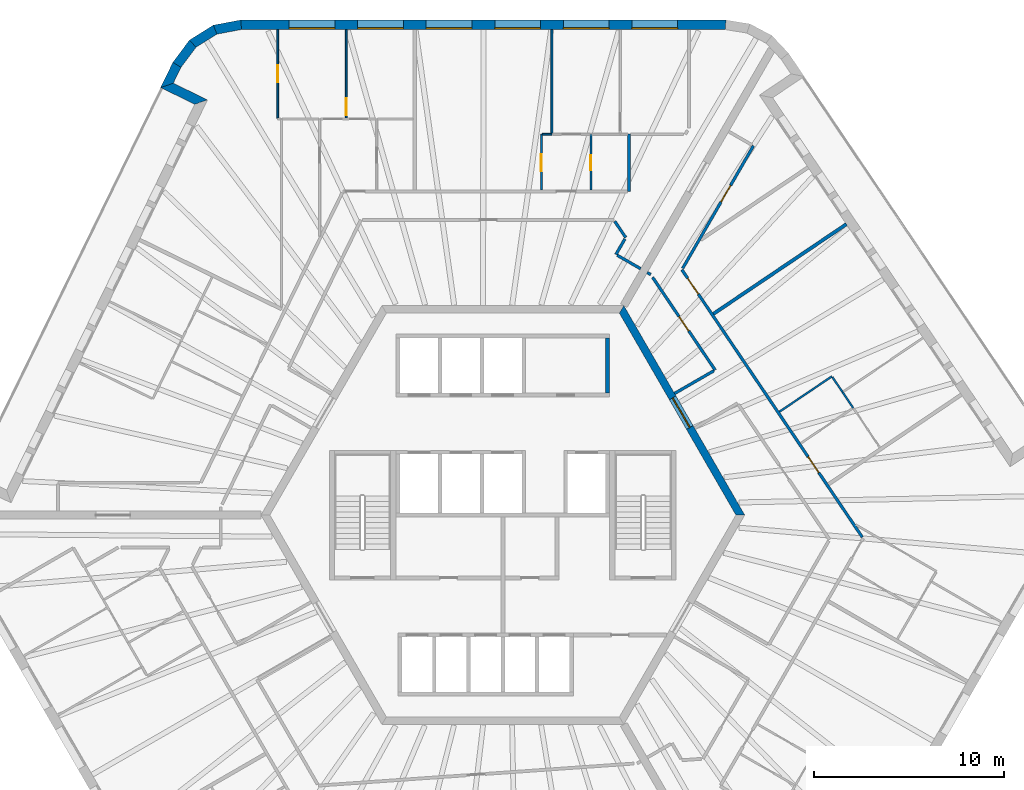
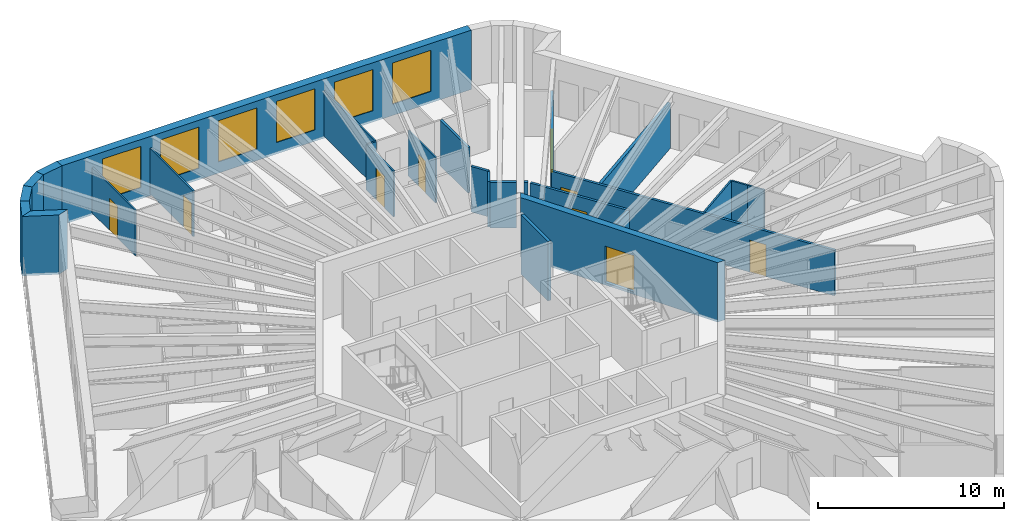
# One storey, part 9 of 12: 27 walls, 9 doors, 6 windows, 15 openings.
"""IFC4 building model written with IfcOpenShell, lengths in metres."""

from ifc_helpers import new_model, si_unit, direction, frame, frame_2d, origin, place, context, subcontext, project, spatial, polyline, rectangle, outline, extrude, material, layer, layer_set, type_object, element, fill, save


model = new_model("IFC4")

# Units and contexts
model_context = context("Model", 3, precision=1e-05, world=origin(), true_north=direction((0.0, 1.0)))
body_context = subcontext(model_context, "Body", "Model", "MODEL_VIEW")
ifc_project = project(units=[si_unit("LENGTHUNIT", "METRE"), si_unit("AREAUNIT", "SQUARE_METRE"), si_unit("VOLUMEUNIT", "CUBIC_METRE"), si_unit("PLANEANGLEUNIT", "RADIAN"), si_unit("MASSUNIT", "GRAM", prefix="KILO")], contexts=[model_context])

# Site, building, storey
site_placement = place(None, origin())
site = spatial("IfcSite", under=ifc_project, at=site_placement, CompositionType="ELEMENT")
building_placement = place(site_placement, origin())
building = spatial("IfcBuilding", under=site, at=building_placement, Name="Tarnside Tower", CompositionType="ELEMENT")
storey_placement = place(building_placement, frame((0.0, 0.0, 310.800048828125)))
storey = spatial("IfcBuildingStorey", under=building, at=storey_placement, Name="L75", CompositionType="ELEMENT", Elevation=310.800048828125)

# Wall, opening, door
ifc_material_1 = material(Name="Gypsum board partition on steel studs", Category="steel")
ifc_layer_1 = layer(ifc_material_1, 0.10009765625)
ifc_layer_set_1 = layer_set([ifc_layer_1], Name="Bathroom wall 100")
wall_type_1 = type_object("IfcWallType", Name="Bathroom wall 100", PredefinedType="PARTITIONING", material=ifc_layer_set_1)
wall_1_placement = place(storey_placement, frame((4.626708984375, 17.074951171875, 0.0), z_axis=(0.0, 0.0, 1.0), x_axis=(0.0, 1.0, 0.0)))
wall_1 = element("IfcWall", 1, at=wall_1_placement, inside=storey, type_object=wall_type_1, Name="Bathroom wall 24088", PredefinedType="PARTITIONING", context=body_context, shape_type="SweptSolid", body=[
    extrude(rectangle(XDim=2.925048828125, YDim=0.10009765625, at=frame_2d((1.46240234375, 0.0))), origin(), (0.0, 0.0, 1.0), 2.98779296875),
])
opening_1_placement = place(wall_1_placement, frame((1.02490234375, 0.0, 0.0)))
opening_1 = element("IfcOpeningElement", 2, at=opening_1_placement, cuts=wall_1, Name="Opening D-B1", PredefinedType="OPENING", context=body_context, shape_type="SweptSolid", body=[
    extrude(rectangle(XDim=0.800048828125, YDim=2.10009765625, at=frame_2d((0.39990234375, 1.050048828125))), frame((0.0, 0.06005859375, 0.0), z_axis=(0.0, -1.0, 0.0), x_axis=(1.0, 0.0, 0.0)), (0.0, 0.0, 1.0), 0.1201171875),
])
ifc_material_2 = material(Name="Timber door leaf", Category="wood")
door_type_1 = type_object("IfcDoorType", Name="Bathroom door 800", OperationType="NOTDEFINED", PredefinedType="DOOR", material=ifc_material_2)
door_1_placement = place(opening_1_placement, origin())
door_1 = element("IfcDoor", 3, at=door_1_placement, inside=storey, type_object=door_type_1, Name="Bathroom door 24002", OperationType="SINGLE_SWING_RIGHT", OverallHeight=2.10009765625, OverallWidth=0.800048828125, PredefinedType="DOOR", context=body_context, shape_type="SweptSolid", body=[
    extrude(rectangle(XDim=0.800048828125, YDim=2.10009765625, at=frame_2d((0.39990234375, 1.050048828125))), frame((0.0, 0.02490234375, 0.0), z_axis=(0.0, -1.0, 0.0), x_axis=(1.0, 0.0, 0.0)), (0.0, 0.0, 1.0), 0.050048828125),
])
fill(opening_1, door_1)

# Walls
wall_2_placement = place(storey_placement, frame((14.524658203125, 5.4248046875, 0.0), z_axis=(0.0, 0.0, 1.0), x_axis=(0.82903334026, 0.559199178055, 0.0)))
element("IfcWall", 4, at=wall_2_placement, inside=storey, type_object=wall_type_1, Name="Bathroom wall 24159", PredefinedType="PARTITIONING", context=body_context, shape_type="SweptSolid", body=[
    extrude(rectangle(XDim=3.324951171875, YDim=0.10009765625, at=frame_2d((1.66259765625, 0.0))), origin(), (0.0, 0.0, 1.0), 2.98779296875),
])
wall_3_placement = place(storey_placement, frame((17.30908203125, 7.24267578125, 0.0), z_axis=(0.0, 0.0, 1.0), x_axis=(0.559248234521, -0.829000248604, 0.0)))
element("IfcWall", 5, at=wall_3_placement, inside=storey, type_object=wall_type_1, Name="Bathroom wall 24160", PredefinedType="PARTITIONING", context=body_context, shape_type="SweptSolid", body=[
    extrude(rectangle(XDim=0.9521484375, YDim=0.10009765625, at=frame_2d((0.47607421875, 0.0))), origin(), (0.0, 0.0, 1.0), 2.98779296875),
])
wall_4_placement = place(storey_placement, frame((18.400634765625, 5.624267578125, 0.0), z_axis=(0.0, 0.0, 1.0), x_axis=(-0.559133879296, 0.829077381806, 0.0)))
element("IfcWall", 6, at=wall_4_placement, inside=storey, type_object=wall_type_1, Name="Bathroom wall 24165", PredefinedType="PARTITIONING", context=body_context, shape_type="SweptSolid", body=[
    extrude(rectangle(XDim=1.002197265625, YDim=0.10009765625, at=frame_2d((0.5009765625, 0.0))), origin(), (0.0, 0.0, 1.0), 2.98779296875),
])

# Wall, opening, door
ifc_material_3 = material(Name="Concrete C60/75", Category="concrete")
ifc_layer_2 = layer(ifc_material_3, 0.39990234375)
ifc_layer_set_2 = layer_set([ifc_layer_2], Name="Core wall Z3 400 C60/75")
wall_type_2 = type_object("IfcWallType", Name="Core wall Z3 400 C60/75", PredefinedType="SHEAR", material=ifc_layer_set_2)
wall_5_placement = place(storey_placement, frame((12.470703125, 0.0, -0.150146484375), z_axis=(0.0, 0.0, 1.0), x_axis=(-0.499996419489, 0.866027470984, 0.0)))
wall_5 = element("IfcWall", 7, at=wall_5_placement, inside=storey, type_object=wall_type_2, Name="L75 core wall face 6", PredefinedType="SHEAR", context=body_context, shape_type="SweptSolid", body=[
    extrude(outline(polyline([(-0.115478515625, -0.199951171875), (12.586181640625, -0.199951171875), (12.355224609375, 0.199951171875), (0.115478515625, 0.199951171875), (-0.115478515625, -0.199951171875)])), origin(), (0.0, 0.0, 1.0), 3.900146484375),
])
opening_2_placement = place(wall_5_placement, frame((5.306396484375, 0.0, 0.14990234375)))
opening_2 = element("IfcOpeningElement", 8, at=opening_2_placement, cuts=wall_5, Name="Opening CD-LOB", PredefinedType="OPENING", context=body_context, shape_type="SweptSolid", body=[
    extrude(rectangle(XDim=1.800048828125, YDim=2.39990234375, at=frame_2d((0.89990234375, 1.199951171875))), frame((0.0, 0.2099609375, 0.0), z_axis=(0.0, -1.0, 0.0), x_axis=(1.0, 0.0, 0.0)), (0.0, 0.0, 1.0), 0.419921875),
])
ifc_material_4 = material(Name="Steel fire door", Category="steel")
door_type_2 = type_object("IfcDoorType", Name="Lobby double door FD30S 1800x2400", OperationType="NOTDEFINED", PredefinedType="DOOR", material=ifc_material_4)
door_2_placement = place(opening_2_placement, origin())
door_2 = element("IfcDoor", 9, at=door_2_placement, inside=storey, type_object=door_type_2, Name="L75 core door P2", OperationType="DOUBLE_DOOR_SINGLE_SWING", OverallHeight=2.39990234375, OverallWidth=1.800048828125, PredefinedType="DOOR", context=body_context, shape_type="SweptSolid", body=[
    extrude(rectangle(XDim=1.800048828125, YDim=2.39990234375, at=frame_2d((0.89990234375, 1.199951171875))), frame((0.0, 0.02490234375, 0.0), z_axis=(0.0, -1.0, 0.0), x_axis=(1.0, 0.0, 0.0)), (0.0, 0.0, 1.0), 0.050048828125),
])
fill(opening_2, door_2)

# Walls
ifc_layer_3 = layer(ifc_material_1, 0.14990234375)
ifc_layer_set_3 = layer_set([ifc_layer_3], Name="Corridor wall 150 EI 60")
wall_type_3 = type_object("IfcWallType", Name="Corridor wall 150 EI 60", PredefinedType="PARTITIONING", material=ifc_layer_set_3)
wall_6_placement = place(storey_placement, frame((6.626708984375, 20.0, 0.0), z_axis=(0.0, 0.0, 1.0), x_axis=(0.0, -1.0, 0.0)))
element("IfcWall", 10, at=wall_6_placement, inside=storey, type_object=wall_type_3, Name="Corridor wall 24003", PredefinedType="PARTITIONING", context=body_context, shape_type="SweptSolid", body=[
    extrude(rectangle(XDim=3.0, YDim=0.14990234375, at=frame_2d((1.5, 0.0))), origin(), (0.0, 0.0, 1.0), 2.98779296875),
])
wall_7_placement = place(storey_placement, frame((5.879638671875, 15.425048828125, 0.0), z_axis=(0.0, 0.0, 1.0), x_axis=(0.559202631314, -0.829031010959, 0.0)))
element("IfcWall", 11, at=wall_7_placement, inside=storey, type_object=wall_type_3, Name="Corridor wall 24020", PredefinedType="PARTITIONING", context=body_context, shape_type="SweptSolid", body=[
    extrude(rectangle(XDim=1.024169921875, YDim=0.14990234375, at=frame_2d((0.51220703125, 0.0))), origin(), (0.0, 0.0, 1.0), 2.98779296875),
])
wall_8_placement = place(storey_placement, frame((6.41064453125, 14.503662109375, 0.0), z_axis=(0.0, 0.0, 1.0), x_axis=(-0.499998034377, -0.866026538634, 0.0)))
element("IfcWall", 12, at=wall_8_placement, inside=storey, type_object=wall_type_3, Name="Corridor wall 24021", PredefinedType="PARTITIONING", context=body_context, shape_type="SweptSolid", body=[
    extrude(rectangle(XDim=0.94580078125, YDim=0.14990234375, at=frame_2d((0.472900390625, 0.0))), origin(), (0.0, 0.0, 1.0), 2.98779296875),
])
wall_9_placement = place(storey_placement, frame((6.002685546875, 13.647216796875, 0.0), z_axis=(0.0, 0.0, 1.0), x_axis=(0.865988727248, -0.500063520245, 0.0)))
element("IfcWall", 13, at=wall_9_placement, inside=storey, type_object=wall_type_3, Name="Corridor wall 24022", PredefinedType="PARTITIONING", context=body_context, shape_type="SweptSolid", body=[
    extrude(rectangle(XDim=1.425048828125, YDim=0.14990234375, at=frame_2d((0.71240234375, 0.0))), origin(), (0.0, 0.0, 1.0), 2.98779296875),
])

# Wall, openings, doors
wall_10_placement = place(storey_placement, frame((18.87451171875, -1.158203125, 0.0), z_axis=(0.0, 0.0, 1.0), x_axis=(-0.55919880344, 0.829033592945, 0.0)))
wall_10 = element("IfcWall", 14, at=wall_10_placement, inside=storey, type_object=wall_type_3, Name="Corridor wall 24060", PredefinedType="PARTITIONING", context=body_context, shape_type="SweptSolid", body=[
    extrude(rectangle(XDim=16.939208984375, YDim=0.14990234375, at=frame_2d((8.4697265625, 0.0))), origin(), (0.0, 0.0, 1.0), 2.98779296875),
])
opening_3_placement = place(wall_10_placement, frame((4.090087890625, 0.0, 0.0)))
opening_3 = element("IfcOpeningElement", 15, at=opening_3_placement, cuts=wall_10, Name="Opening D-E1", PredefinedType="OPENING", context=body_context, shape_type="SweptSolid", body=[
    extrude(rectangle(XDim=1.0, YDim=2.10009765625, at=frame_2d((0.5, 1.050048828125))), frame((0.0, 0.0849609375, 0.0), z_axis=(0.0, -1.0, 0.0), x_axis=(1.0, 0.0, 0.0)), (0.0, 0.0, 1.0), 0.169921875),
])
opening_4_placement = place(wall_10_placement, frame((15.39013671875, 0.0, 0.0)))
opening_4 = element("IfcOpeningElement", 16, at=opening_4_placement, cuts=wall_10, Name="Opening D-E1", PredefinedType="OPENING", context=body_context, shape_type="SweptSolid", body=[
    extrude(rectangle(XDim=1.0, YDim=2.10009765625, at=frame_2d((0.5, 1.050048828125))), frame((0.0, 0.0849609375, 0.0), z_axis=(0.0, -1.0, 0.0), x_axis=(1.0, 0.0, 0.0)), (0.0, 0.0, 1.0), 0.169921875),
])
door_type_3 = type_object("IfcDoorType", Name="Unit entrance door 1000 FD30S", OperationType="NOTDEFINED", PredefinedType="DOOR", material=ifc_material_2)
door_3_placement = place(opening_3_placement, origin())
door_3 = element("IfcDoor", 17, at=door_3_placement, inside=storey, type_object=door_type_3, Name="Unit door 24054", OperationType="SINGLE_SWING_LEFT", OverallHeight=2.10009765625, OverallWidth=1.0, PredefinedType="DOOR", context=body_context, shape_type="SweptSolid", body=[
    extrude(rectangle(XDim=1.0, YDim=2.10009765625, at=frame_2d((0.5, 1.050048828125))), frame((0.0, 0.02490234375, 0.0), z_axis=(0.0, -1.0, 0.0), x_axis=(1.0, 0.0, 0.0)), (0.0, 0.0, 1.0), 0.050048828125),
])
fill(opening_3, door_3)
door_4_placement = place(opening_4_placement, origin())
door_4 = element("IfcDoor", 18, at=door_4_placement, inside=storey, type_object=door_type_3, Name="Unit door 24059", OperationType="SINGLE_SWING_LEFT", OverallHeight=2.10009765625, OverallWidth=1.0, PredefinedType="DOOR", context=body_context, shape_type="SweptSolid", body=[
    extrude(rectangle(XDim=1.0, YDim=2.10009765625, at=frame_2d((0.5, 1.050048828125))), frame((0.0, 0.02490234375, 0.0), z_axis=(0.0, -1.0, 0.0), x_axis=(1.0, 0.0, 0.0)), (0.0, 0.0, 1.0), 0.050048828125),
])
fill(opening_4, door_4)

# Wall, opening, door
wall_11_placement = place(storey_placement, frame((9.44384765625, 12.957275390625, 0.0), z_axis=(0.0, 0.0, 1.0), x_axis=(0.500004967958, 0.866022535513, 0.0)))
wall_11 = element("IfcWall", 19, at=wall_11_placement, inside=storey, type_object=wall_type_3, Name="Corridor wall 24068", PredefinedType="PARTITIONING", context=body_context, shape_type="SweptSolid", body=[
    extrude(rectangle(XDim=7.4306640625, YDim=0.14990234375, at=frame_2d((3.71533203125, 0.0))), origin(), (0.0, 0.0, 1.0), 2.98779296875),
])
opening_5_placement = place(wall_11_placement, frame((4.02978515625, 0.0, 0.0)))
opening_5 = element("IfcOpeningElement", 20, at=opening_5_placement, cuts=wall_11, Name="Opening D-E1", PredefinedType="OPENING", context=body_context, shape_type="SweptSolid", body=[
    extrude(rectangle(XDim=1.0, YDim=2.10009765625, at=frame_2d((0.5, 1.050048828125))), frame((0.0, 0.0849609375, 0.0), z_axis=(0.0, -1.0, 0.0), x_axis=(1.0, 0.0, 0.0)), (0.0, 0.0, 1.0), 0.169921875),
])
door_5_placement = place(opening_5_placement, origin())
door_5 = element("IfcDoor", 21, at=door_5_placement, inside=storey, type_object=door_type_3, Name="Unit door 24060", OperationType="SINGLE_SWING_RIGHT", OverallHeight=2.10009765625, OverallWidth=1.0, PredefinedType="DOOR", context=body_context, shape_type="SweptSolid", body=[
    extrude(rectangle(XDim=1.0, YDim=2.10009765625, at=frame_2d((0.5, 1.050048828125))), frame((0.0, 0.02490234375, 0.0), z_axis=(0.0, -1.0, 0.0), x_axis=(1.0, 0.0, 0.0)), (0.0, 0.0, 1.0), 0.050048828125),
])
fill(opening_5, door_5)

# Wall
wall_12_placement = place(storey_placement, frame((7.583251953125, 12.734619140625, 0.0), z_axis=(0.0, 0.0, 1.0), x_axis=(0.866088799389, -0.499890179513, 0.0)))
element("IfcWall", 22, at=wall_12_placement, inside=storey, type_object=wall_type_3, Name="Corridor wall 24080", PredefinedType="PARTITIONING", context=body_context, shape_type="SweptSolid", body=[
    extrude(rectangle(XDim=0.2099609375, YDim=0.14990234375, at=frame_2d((0.10498046875, 0.0))), origin(), (0.0, 0.0, 1.0), 2.98779296875),
])

# Wall, opening, door
wall_13_placement = place(storey_placement, frame((7.86083984375, 12.48779296875, 0.0), z_axis=(0.0, 0.0, 1.0), x_axis=(0.559178186788, -0.829047498893, 0.0)))
wall_13 = element("IfcWall", 23, at=wall_13_placement, inside=storey, type_object=wall_type_3, Name="Corridor wall 24081", PredefinedType="PARTITIONING", context=body_context, shape_type="SweptSolid", body=[
    extrude(rectangle(XDim=5.877685546875, YDim=0.14990234375, at=frame_2d((2.93896484375, 0.0))), origin(), (0.0, 0.0, 1.0), 2.98779296875),
])
opening_6_placement = place(wall_13_placement, frame((2.48876953125, 0.0, 0.0)))
opening_6 = element("IfcOpeningElement", 24, at=opening_6_placement, cuts=wall_13, Name="Opening D-S1", PredefinedType="OPENING", context=body_context, shape_type="SweptSolid", body=[
    extrude(rectangle(XDim=0.89990234375, YDim=2.10009765625, at=frame_2d((0.449951171875, 1.050048828125))), frame((0.0, 0.0849609375, 0.0), z_axis=(0.0, -1.0, 0.0), x_axis=(1.0, 0.0, 0.0)), (0.0, 0.0, 1.0), 0.169921875),
])
door_type_4 = type_object("IfcDoorType", Name="Service room door 900 FD30S", OperationType="NOTDEFINED", PredefinedType="DOOR", material=ifc_material_2)
door_6_placement = place(opening_6_placement, origin())
door_6 = element("IfcDoor", 25, at=door_6_placement, inside=storey, type_object=door_type_4, Name="Service door 24069", OperationType="SINGLE_SWING_RIGHT", OverallHeight=2.10009765625, OverallWidth=0.89990234375, PredefinedType="DOOR", context=body_context, shape_type="SweptSolid", body=[
    extrude(rectangle(XDim=0.89990234375, YDim=2.10009765625, at=frame_2d((0.449951171875, 1.050048828125))), frame((0.0, 0.02490234375, 0.0), z_axis=(0.0, -1.0, 0.0), x_axis=(1.0, 0.0, 0.0)), (0.0, 0.0, 1.0), 0.050048828125),
])
fill(opening_6, door_6)

# Walls
wall_14_placement = place(storey_placement, frame((11.082275390625, 7.57763671875, 0.0), z_axis=(0.0, 0.0, 1.0), x_axis=(-0.865993065409, -0.500056007527, 0.0)))
element("IfcWall", 26, at=wall_14_placement, inside=storey, type_object=wall_type_3, Name="Corridor wall 24082", PredefinedType="PARTITIONING", context=body_context, shape_type="SweptSolid", body=[
    extrude(rectangle(XDim=2.386474609375, YDim=0.14990234375, at=frame_2d((1.193359375, 0.0))), origin(), (0.0, 0.0, 1.0), 2.98779296875),
])
ifc_layer_4 = layer(ifc_material_1, 0.179931640625)
ifc_layer_set_4 = layer_set([ifc_layer_4], Name="Demising wall 180 EI 60")
wall_type_4 = type_object("IfcWallType", Name="Demising wall 180 EI 60", PredefinedType="PARTITIONING", material=ifc_layer_set_4)
wall_15_placement = place(storey_placement, frame((18.042236328125, 15.276123046875, 0.0), z_axis=(0.0, 0.0, 1.0), x_axis=(-0.829037762759, -0.559192621481, 0.0)))
element("IfcWall", 27, at=wall_15_placement, inside=storey, type_object=wall_type_4, Name="Demising wall 24162", PredefinedType="PARTITIONING", context=body_context, shape_type="SweptSolid", body=[
    extrude(rectangle(XDim=8.425048828125, YDim=0.179931640625, at=frame_2d((4.21240234375, 0.0))), origin(), (0.0, 0.0, 1.0), 2.98779296875),
])
ifc_material_5 = material(Name="Concrete C40/50", Category="concrete")
ifc_layer_5 = layer(ifc_material_5, 0.199951171875)
ifc_layer_set_5 = layer_set([ifc_layer_5], Name="Lift shaft wall 200 C40/50")
wall_type_5 = type_object("IfcWallType", Name="Lift shaft wall 200 C40/50", PredefinedType="SHEAR", material=ifc_layer_set_5)
wall_16_placement = place(storey_placement, frame((5.5, 6.39990234375, -0.25), z_axis=(0.0, 0.0, 1.0), x_axis=(0.0, 1.0, 0.0)))
element("IfcWall", 28, at=wall_16_placement, inside=storey, type_object=wall_type_5, Name="L75 lift shaft partition R16", PredefinedType="SHEAR", context=body_context, shape_type="SweptSolid", body=[
    extrude(rectangle(XDim=2.900146484375, YDim=0.199951171875, at=frame_2d((1.4501953125, 0.0))), origin(), (0.0, 0.0, 1.0), 3.89990234375),
])
ifc_material_6 = material(Name="Dark zinc cladding")
ifc_layer_6 = layer(ifc_material_6, 0.10205078125)
ifc_material_7 = material(Name="Concrete C60/75 precast", Category="concrete")
ifc_layer_7 = layer(ifc_material_7, 0.298095703125)
ifc_material_8 = material(Name="Mineral wool insulation")
ifc_layer_8 = layer(ifc_material_8, 0.10009765625)
ifc_layer_set_6 = layer_set([ifc_layer_6, ifc_layer_7, ifc_layer_8], Name="Loggia wall 500 zinc faced")
wall_type_6 = type_object("IfcWallType", Name="Loggia wall 500 zinc faced", PredefinedType="SOLIDWALL", material=ifc_layer_set_6)
wall_17_placement = place(storey_placement, frame((-17.11767578125, 23.643798828125, -0.150146484375), z_axis=(0.0, 0.0, 1.0), x_axis=(-0.438319390103, -0.898819287877, 0.0)))
element("IfcWall", 29, at=wall_17_placement, inside=storey, type_object=wall_type_6, Name="Tube wall L75 F2 stub 04", PredefinedType="SOLIDWALL", context=body_context, shape_type="SweptSolid", body=[
    extrude(outline(polyline([(-0.0234375, -0.25), (1.44970703125, -0.25), (0.94970703125, 0.25), (0.0234375, 0.25), (-0.0234375, -0.25)])), origin(), (0.0, 0.0, 1.0), 3.900146484375),
])
wall_18_placement = place(storey_placement, frame((-17.6435546875, 22.5654296875, -0.150146484375), z_axis=(0.0, 0.0, 1.0), x_axis=(0.898754367686, -0.43845249066, 0.0)))
element("IfcWall", 30, at=wall_18_placement, inside=storey, type_object=wall_type_6, Name="Tube wall L75 F2 return 05", PredefinedType="SOLIDWALL", context=body_context, shape_type="SweptSolid", body=[
    extrude(outline(polyline([(-0.25, -0.25), (1.75, -0.25), (2.25, 0.25), (0.25, 0.25), (-0.25, -0.25)])), origin(), (0.0, 0.0, 1.0), 3.900146484375),
])

# Wall, opening, door
ifc_layer_9 = layer(ifc_material_1, 0.10009765625)
ifc_layer_set_7 = layer_set([ifc_layer_9], Name="Partition 100")
wall_type_7 = type_object("IfcWallType", Name="Partition 100", PredefinedType="PARTITIONING", material=ifc_layer_set_7)
wall_19_placement = place(storey_placement, frame((2.026611328125, 17.074951171875, 0.0), z_axis=(0.0, 0.0, 1.0), x_axis=(0.0, 1.0, 0.0)))
wall_19 = element("IfcWall", 31, at=wall_19_placement, inside=storey, type_object=wall_type_7, Name="Partition wall 24083", PredefinedType="PARTITIONING", context=body_context, shape_type="SweptSolid", body=[
    extrude(rectangle(XDim=2.925048828125, YDim=0.10009765625, at=frame_2d((1.46240234375, 0.0))), origin(), (0.0, 0.0, 1.0), 2.98779296875),
])
opening_7_placement = place(wall_19_placement, frame((0.97509765625, 0.0, 0.0)))
opening_7 = element("IfcOpeningElement", 32, at=opening_7_placement, cuts=wall_19, Name="Opening D-I1", PredefinedType="OPENING", context=body_context, shape_type="SweptSolid", body=[
    extrude(rectangle(XDim=0.89990234375, YDim=2.10009765625, at=frame_2d((0.449951171875, 1.050048828125))), frame((0.0, 0.06005859375, 0.0), z_axis=(0.0, -1.0, 0.0), x_axis=(1.0, 0.0, 0.0)), (0.0, 0.0, 1.0), 0.1201171875),
])
door_type_5 = type_object("IfcDoorType", Name="Internal door 900", OperationType="NOTDEFINED", PredefinedType="DOOR", material=ifc_material_2)
door_7_placement = place(opening_7_placement, origin())
door_7 = element("IfcDoor", 33, at=door_7_placement, inside=storey, type_object=door_type_5, Name="Internal door 24003", OperationType="SINGLE_SWING_RIGHT", OverallHeight=2.10009765625, OverallWidth=0.89990234375, PredefinedType="DOOR", context=body_context, shape_type="SweptSolid", body=[
    extrude(rectangle(XDim=0.89990234375, YDim=2.10009765625, at=frame_2d((0.449951171875, 1.050048828125))), frame((0.0, 0.02490234375, 0.0), z_axis=(0.0, -1.0, 0.0), x_axis=(1.0, 0.0, 0.0)), (0.0, 0.0, 1.0), 0.050048828125),
])
fill(opening_7, door_7)

# Walls
wall_20_placement = place(storey_placement, frame((2.07666015625, 20.0, 0.0), z_axis=(0.0, 0.0, 1.0), x_axis=(1.0, 0.0, 0.0)))
element("IfcWall", 34, at=wall_20_placement, inside=storey, type_object=wall_type_7, Name="Partition wall 24084", PredefinedType="PARTITIONING", context=body_context, shape_type="SweptSolid", body=[
    extrude(rectangle(XDim=0.50048828125, YDim=0.10009765625, at=frame_2d((0.250244140625, 0.0))), origin(), (0.0, 0.0, 1.0), 2.98779296875),
])
wall_21_placement = place(storey_placement, frame((2.5751953125, 20.050048828125, 0.0), z_axis=(0.0, 0.0, 1.0), x_axis=(0.0, 1.0, 0.0)))
element("IfcWall", 35, at=wall_21_placement, inside=storey, type_object=wall_type_7, Name="Partition wall 24085", PredefinedType="PARTITIONING", context=body_context, shape_type="SweptSolid", body=[
    extrude(rectangle(XDim=5.449951171875, YDim=0.10009765625, at=frame_2d((2.72509765625, 0.0))), origin(), (0.0, 0.0, 1.0), 2.98779296875),
])

# Wall, opening, door
wall_22_placement = place(storey_placement, frame((-11.82470703125, 20.85009765625, 0.0), z_axis=(0.0, 0.0, 1.0), x_axis=(0.0, 1.0, 0.0)))
wall_22 = element("IfcWall", 36, at=wall_22_placement, inside=storey, type_object=wall_type_7, Name="Partition wall 24094", PredefinedType="PARTITIONING", context=body_context, shape_type="SweptSolid", body=[
    extrude(rectangle(XDim=4.64990234375, YDim=0.10009765625, at=frame_2d((2.324951171875, 0.0))), origin(), (0.0, 0.0, 1.0), 2.98779296875),
])
opening_8_placement = place(wall_22_placement, frame((1.875, 0.0, 0.0)))
opening_8 = element("IfcOpeningElement", 37, at=opening_8_placement, cuts=wall_22, Name="Opening D-I1", PredefinedType="OPENING", context=body_context, shape_type="SweptSolid", body=[
    extrude(rectangle(XDim=0.89990234375, YDim=2.10009765625, at=frame_2d((0.449951171875, 1.050048828125))), frame((0.0, 0.06005859375, 0.0), z_axis=(0.0, -1.0, 0.0), x_axis=(1.0, 0.0, 0.0)), (0.0, 0.0, 1.0), 0.1201171875),
])
door_8_placement = place(opening_8_placement, origin())
door_8 = element("IfcDoor", 38, at=door_8_placement, inside=storey, type_object=door_type_5, Name="Internal door 24061", OperationType="SINGLE_SWING_LEFT", OverallHeight=2.10009765625, OverallWidth=0.89990234375, PredefinedType="DOOR", context=body_context, shape_type="SweptSolid", body=[
    extrude(rectangle(XDim=0.89990234375, YDim=2.10009765625, at=frame_2d((0.449951171875, 1.050048828125))), frame((0.0, 0.02490234375, 0.0), z_axis=(0.0, -1.0, 0.0), x_axis=(1.0, 0.0, 0.0)), (0.0, 0.0, 1.0), 0.050048828125),
])
fill(opening_8, door_8)

wall_23_placement = place(storey_placement, frame((-8.224853515625, 25.5, 0.0), z_axis=(0.0, 0.0, 1.0), x_axis=(0.0, -1.0, 0.0)))
wall_23 = element("IfcWall", 39, at=wall_23_placement, inside=storey, type_object=wall_type_7, Name="Partition wall 24103", PredefinedType="PARTITIONING", context=body_context, shape_type="SweptSolid", body=[
    extrude(rectangle(XDim=4.64990234375, YDim=0.10009765625, at=frame_2d((2.324951171875, 0.0))), origin(), (0.0, 0.0, 1.0), 2.98779296875),
])
opening_9_placement = place(wall_23_placement, frame((3.60009765625, 0.0, 0.0)))
opening_9 = element("IfcOpeningElement", 40, at=opening_9_placement, cuts=wall_23, Name="Opening D-I1", PredefinedType="OPENING", context=body_context, shape_type="SweptSolid", body=[
    extrude(rectangle(XDim=0.89990234375, YDim=2.10009765625, at=frame_2d((0.449951171875, 1.050048828125))), frame((0.0, 0.06005859375, 0.0), z_axis=(0.0, -1.0, 0.0), x_axis=(1.0, 0.0, 0.0)), (0.0, 0.0, 1.0), 0.1201171875),
])
door_9_placement = place(opening_9_placement, origin())
door_9 = element("IfcDoor", 41, at=door_9_placement, inside=storey, type_object=door_type_5, Name="Internal door 24014", OperationType="SINGLE_SWING_RIGHT", OverallHeight=2.10009765625, OverallWidth=0.89990234375, PredefinedType="DOOR", context=body_context, shape_type="SweptSolid", body=[
    extrude(rectangle(XDim=0.89990234375, YDim=2.10009765625, at=frame_2d((0.449951171875, 1.050048828125))), frame((0.0, 0.02490234375, 0.0), z_axis=(0.0, -1.0, 0.0), x_axis=(1.0, 0.0, 0.0)), (0.0, 0.0, 1.0), 0.050048828125),
])
fill(opening_9, door_9)

# Wall, openings, windows
ifc_material_9 = material(Name="Facing brick", Category="masonry")
ifc_layer_10 = layer(ifc_material_9, 0.10205078125)
ifc_layer_11 = layer(ifc_material_7, 0.298095703125)
ifc_layer_12 = layer(ifc_material_8, 0.10009765625)
ifc_layer_set_8 = layer_set([ifc_layer_10, ifc_layer_11, ifc_layer_12], Name="Tube wall 500 brick faced")
wall_type_8 = type_object("IfcWallType", Name="Tube wall 500 brick faced", PredefinedType="SOLIDWALL", material=ifc_layer_set_8)
wall_24_placement = place(storey_placement, frame((11.697509765625, 25.75, -0.150146484375), z_axis=(0.0, 0.0, 1.0), x_axis=(-1.0, 0.0, 0.0)))
wall_24 = element("IfcWall", 42, at=wall_24_placement, inside=storey, type_object=wall_type_8, Name="Tube wall L75 F1 flush 00", PredefinedType="SOLIDWALL", context=body_context, shape_type="SweptSolid", body=[
    extrude(outline(polyline([(-0.0205078125, -0.25), (25.468017578125, -0.25), (25.421142578125, 0.25), (0.0205078125, 0.25), (-0.0205078125, -0.25)])), origin(), (0.0, 0.0, 1.0), 3.900146484375),
])
opening_10_placement = place(wall_24_placement, frame((2.5224609375, 0.0, 0.75)))
opening_10 = element("IfcOpeningElement", 43, at=opening_10_placement, cuts=wall_24, Name="Opening WR", PredefinedType="OPENING", context=body_context, shape_type="SweptSolid", body=[
    extrude(rectangle(XDim=2.39990234375, YDim=2.699951171875, at=frame_2d((1.199951171875, 1.35009765625))), frame((0.0, 0.260009765625, 0.0), z_axis=(0.0, -1.0, 0.0), x_axis=(1.0, 0.0, 0.0)), (0.0, 0.0, 1.0), 0.52001953125),
])
opening_11_placement = place(wall_24_placement, frame((6.122314453125, 0.0, 0.75)))
opening_11 = element("IfcOpeningElement", 44, at=opening_11_placement, cuts=wall_24, Name="Opening WR", PredefinedType="OPENING", context=body_context, shape_type="SweptSolid", body=[
    extrude(rectangle(XDim=2.39990234375, YDim=2.699951171875, at=frame_2d((1.199951171875, 1.35009765625))), frame((0.0, 0.260009765625, 0.0), z_axis=(0.0, -1.0, 0.0), x_axis=(1.0, 0.0, 0.0)), (0.0, 0.0, 1.0), 0.52001953125),
])
opening_12_placement = place(wall_24_placement, frame((9.722412109375, 0.0, 0.75)))
opening_12 = element("IfcOpeningElement", 45, at=opening_12_placement, cuts=wall_24, Name="Opening WR", PredefinedType="OPENING", context=body_context, shape_type="SweptSolid", body=[
    extrude(rectangle(XDim=2.39990234375, YDim=2.699951171875, at=frame_2d((1.199951171875, 1.35009765625))), frame((0.0, 0.260009765625, 0.0), z_axis=(0.0, -1.0, 0.0), x_axis=(1.0, 0.0, 0.0)), (0.0, 0.0, 1.0), 0.52001953125),
])
opening_13_placement = place(wall_24_placement, frame((13.322509765625, 0.0, 0.75)))
opening_13 = element("IfcOpeningElement", 46, at=opening_13_placement, cuts=wall_24, Name="Opening WR", PredefinedType="OPENING", context=body_context, shape_type="SweptSolid", body=[
    extrude(rectangle(XDim=2.39990234375, YDim=2.699951171875, at=frame_2d((1.199951171875, 1.35009765625))), frame((0.0, 0.260009765625, 0.0), z_axis=(0.0, -1.0, 0.0), x_axis=(1.0, 0.0, 0.0)), (0.0, 0.0, 1.0), 0.52001953125),
])
opening_14_placement = place(wall_24_placement, frame((16.92236328125, 0.0, 0.75)))
opening_14 = element("IfcOpeningElement", 47, at=opening_14_placement, cuts=wall_24, Name="Opening WR", PredefinedType="OPENING", context=body_context, shape_type="SweptSolid", body=[
    extrude(rectangle(XDim=2.39990234375, YDim=2.699951171875, at=frame_2d((1.199951171875, 1.35009765625))), frame((0.0, 0.260009765625, 0.0), z_axis=(0.0, -1.0, 0.0), x_axis=(1.0, 0.0, 0.0)), (0.0, 0.0, 1.0), 0.52001953125),
])
opening_15_placement = place(wall_24_placement, frame((20.5224609375, 0.0, 0.75)))
opening_15 = element("IfcOpeningElement", 48, at=opening_15_placement, cuts=wall_24, Name="Opening WR", PredefinedType="OPENING", context=body_context, shape_type="SweptSolid", body=[
    extrude(rectangle(XDim=2.39990234375, YDim=2.699951171875, at=frame_2d((1.199951171875, 1.35009765625))), frame((0.0, 0.260009765625, 0.0), z_axis=(0.0, -1.0, 0.0), x_axis=(1.0, 0.0, 0.0)), (0.0, 0.0, 1.0), 0.52001953125),
])
ifc_material_10 = material(Name="Aluminium-framed double glazing", Category="aluminium")
window_type = type_object("IfcWindowType", Name="Residence window 2400 x 2700", PartitioningType="DOUBLE_PANEL_VERTICAL", PredefinedType="WINDOW", material=ifc_material_10)
window_1_placement = place(opening_10_placement, frame((0.0, 0.179931640625, 0.0)))
window_1 = element("IfcWindow", 49, at=window_1_placement, inside=storey, type_object=window_type, Name="E.WN.L75.F1.00", OverallHeight=2.699951171875, OverallWidth=2.39990234375, PartitioningType="DOUBLE_PANEL_VERTICAL", PredefinedType="WINDOW", context=body_context, shape_type="SweptSolid", body=[
    extrude(rectangle(XDim=2.39990234375, YDim=2.699951171875, at=frame_2d((1.199951171875, 1.35009765625))), frame((0.0, 0.030029296875, 0.0), z_axis=(0.0, -1.0, 0.0), x_axis=(1.0, 0.0, 0.0)), (0.0, 0.0, 1.0), 0.06005859375),
])
fill(opening_10, window_1)
window_2_placement = place(opening_11_placement, frame((0.0, 0.179931640625, 0.0)))
window_2 = element("IfcWindow", 50, at=window_2_placement, inside=storey, type_object=window_type, Name="E.WN.L75.F1.01", OverallHeight=2.699951171875, OverallWidth=2.39990234375, PartitioningType="DOUBLE_PANEL_VERTICAL", PredefinedType="WINDOW", context=body_context, shape_type="SweptSolid", body=[
    extrude(rectangle(XDim=2.39990234375, YDim=2.699951171875, at=frame_2d((1.199951171875, 1.35009765625))), frame((0.0, 0.030029296875, 0.0), z_axis=(0.0, -1.0, 0.0), x_axis=(1.0, 0.0, 0.0)), (0.0, 0.0, 1.0), 0.06005859375),
])
fill(opening_11, window_2)
window_3_placement = place(opening_12_placement, frame((0.0, 0.179931640625, 0.0)))
window_3 = element("IfcWindow", 51, at=window_3_placement, inside=storey, type_object=window_type, Name="E.WN.L75.F1.02", OverallHeight=2.699951171875, OverallWidth=2.39990234375, PartitioningType="DOUBLE_PANEL_VERTICAL", PredefinedType="WINDOW", context=body_context, shape_type="SweptSolid", body=[
    extrude(rectangle(XDim=2.39990234375, YDim=2.699951171875, at=frame_2d((1.199951171875, 1.35009765625))), frame((0.0, 0.030029296875, 0.0), z_axis=(0.0, -1.0, 0.0), x_axis=(1.0, 0.0, 0.0)), (0.0, 0.0, 1.0), 0.06005859375),
])
fill(opening_12, window_3)
window_4_placement = place(opening_13_placement, frame((0.0, 0.179931640625, 0.0)))
window_4 = element("IfcWindow", 52, at=window_4_placement, inside=storey, type_object=window_type, Name="E.WN.L75.F1.03", OverallHeight=2.699951171875, OverallWidth=2.39990234375, PartitioningType="DOUBLE_PANEL_VERTICAL", PredefinedType="WINDOW", context=body_context, shape_type="SweptSolid", body=[
    extrude(rectangle(XDim=2.39990234375, YDim=2.699951171875, at=frame_2d((1.199951171875, 1.35009765625))), frame((0.0, 0.030029296875, 0.0), z_axis=(0.0, -1.0, 0.0), x_axis=(1.0, 0.0, 0.0)), (0.0, 0.0, 1.0), 0.06005859375),
])
fill(opening_13, window_4)
window_5_placement = place(opening_14_placement, frame((0.0, 0.179931640625, 0.0)))
window_5 = element("IfcWindow", 53, at=window_5_placement, inside=storey, type_object=window_type, Name="E.WN.L75.F1.04", OverallHeight=2.699951171875, OverallWidth=2.39990234375, PartitioningType="DOUBLE_PANEL_VERTICAL", PredefinedType="WINDOW", context=body_context, shape_type="SweptSolid", body=[
    extrude(rectangle(XDim=2.39990234375, YDim=2.699951171875, at=frame_2d((1.199951171875, 1.35009765625))), frame((0.0, 0.030029296875, 0.0), z_axis=(0.0, -1.0, 0.0), x_axis=(1.0, 0.0, 0.0)), (0.0, 0.0, 1.0), 0.06005859375),
])
fill(opening_14, window_5)
window_6_placement = place(opening_15_placement, frame((0.0, 0.179931640625, 0.0)))
window_6 = element("IfcWindow", 54, at=window_6_placement, inside=storey, type_object=window_type, Name="E.WN.L75.F1.05", OverallHeight=2.699951171875, OverallWidth=2.39990234375, PartitioningType="DOUBLE_PANEL_VERTICAL", PredefinedType="WINDOW", context=body_context, shape_type="SweptSolid", body=[
    extrude(rectangle(XDim=2.39990234375, YDim=2.699951171875, at=frame_2d((1.199951171875, 1.35009765625))), frame((0.0, 0.030029296875, 0.0), z_axis=(0.0, -1.0, 0.0), x_axis=(1.0, 0.0, 0.0)), (0.0, 0.0, 1.0), 0.06005859375),
])
fill(opening_15, window_6)

# Walls
wall_25_placement = place(storey_placement, frame((-13.7470703125, 25.75, -0.150146484375), z_axis=(0.0, 0.0, 1.0), x_axis=(-0.982736538448, -0.185010529429, 0.0)))
element("IfcWall", 55, at=wall_25_placement, inside=storey, type_object=wall_type_8, Name="Tube wall L75 F1 chord 01", PredefinedType="SOLIDWALL", context=body_context, shape_type="SweptSolid", body=[
    extrude(outline(polyline([(-0.0234375, -0.25), (1.435302734375, -0.25), (1.341064453125, 0.25), (0.0234375, 0.25), (-0.0234375, -0.25)])), origin(), (0.0, 0.0, 1.0), 3.900146484375),
])
wall_26_placement = place(storey_placement, frame((-15.111328125, 25.4931640625, -0.150146484375), z_axis=(0.0, 0.0, 1.0), x_axis=(-0.847978544293, -0.530030554231, 0.0)))
element("IfcWall", 56, at=wall_26_placement, inside=storey, type_object=wall_type_8, Name="Tube wall L75 F1 chord 02", PredefinedType="SOLIDWALL", context=body_context, shape_type="SweptSolid", body=[
    extrude(outline(polyline([(-0.047119140625, -0.25), (1.435302734375, -0.25), (1.341064453125, 0.25), (0.047119140625, 0.25), (-0.047119140625, -0.25)])), origin(), (0.0, 0.0, 1.0), 3.900146484375),
])
wall_27_placement = place(storey_placement, frame((-16.28857421875, 24.75732421875, -0.150146484375), z_axis=(0.0, 0.0, 1.0), x_axis=(-0.597210785942, -0.802084332945, 0.0)))
element("IfcWall", 57, at=wall_27_placement, inside=storey, type_object=wall_type_8, Name="Tube wall L75 F1 chord 03", PredefinedType="SOLIDWALL", context=body_context, shape_type="SweptSolid", body=[
    extrude(outline(polyline([(-0.047119140625, -0.25), (1.41162109375, -0.25), (1.36474609375, 0.25), (0.047119140625, 0.25), (-0.047119140625, -0.25)])), origin(), (0.0, 0.0, 1.0), 3.900146484375),
])

save(model, "model.ifc")
